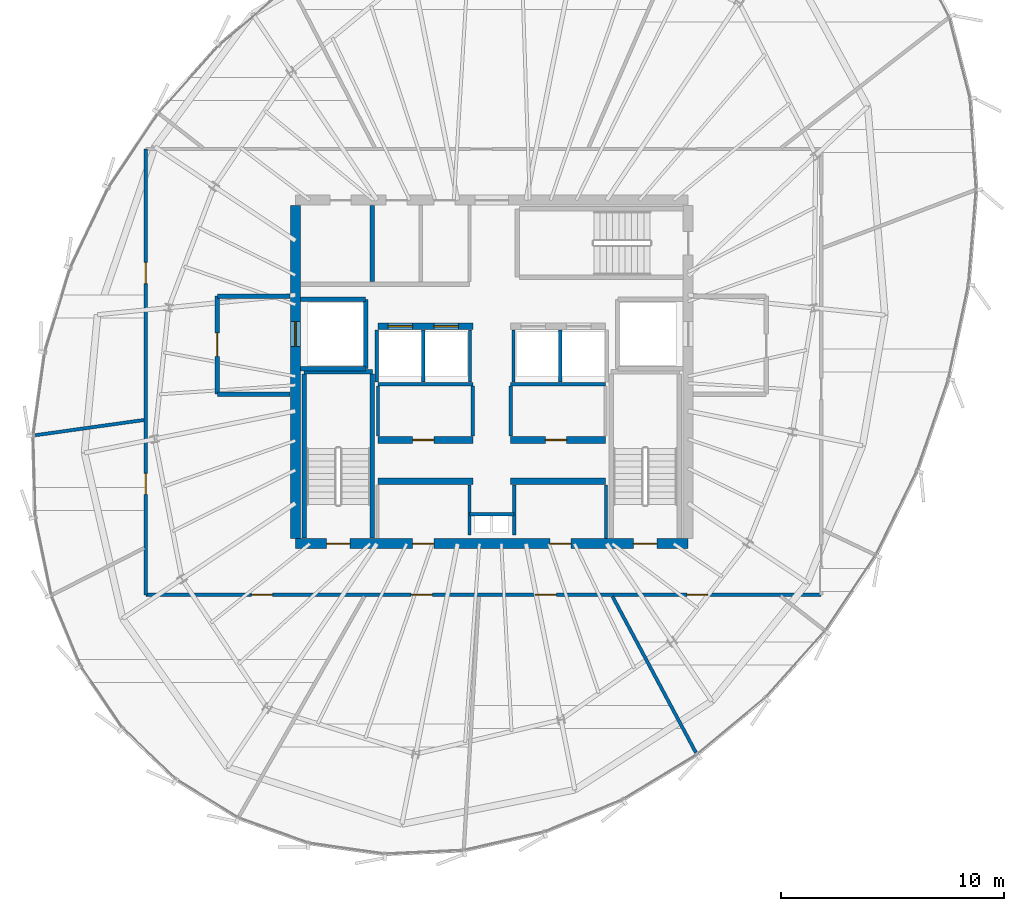
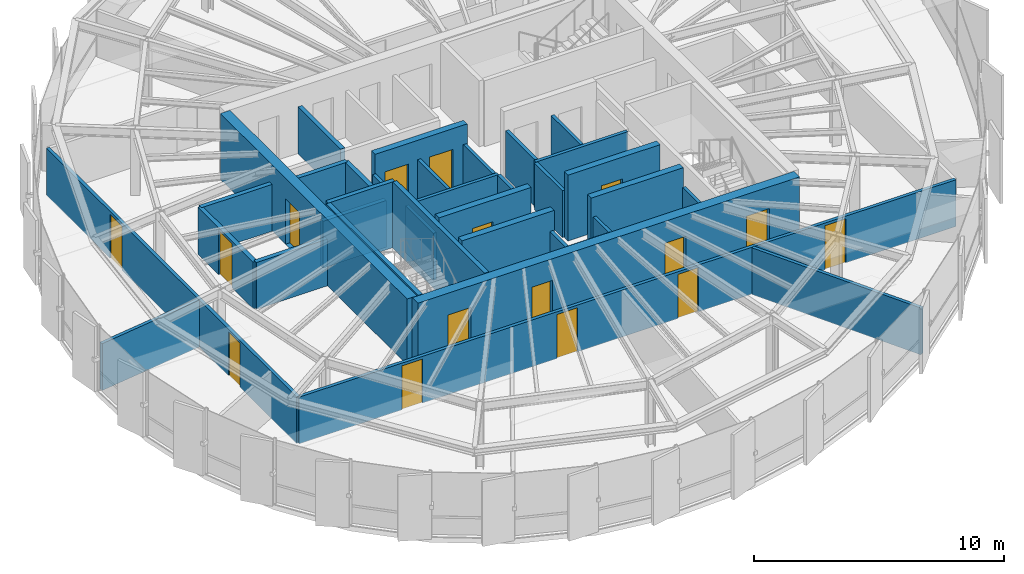
# One storey, part 29 of 35: 35 walls, 16 doors, 16 openings.
"""IFC4 building model written with IfcOpenShell, lengths in metres."""

from ifc_helpers import new_model, si_unit, direction, frame, frame_2d, origin, place, context, subcontext, project, spatial, rectangle, extrude, source, transform, mapped, material, layer, layer_set, type_object, element, fill, save


model = new_model("IFC4")

# Units and contexts
model_context = context("Model", 3, precision=1e-05, world=origin(), true_north=direction((0.0, 1.0)))
body_context = subcontext(model_context, "Body", "Model", "MODEL_VIEW")
ifc_project = project(units=[si_unit("LENGTHUNIT", "METRE"), si_unit("AREAUNIT", "SQUARE_METRE"), si_unit("VOLUMEUNIT", "CUBIC_METRE"), si_unit("PLANEANGLEUNIT", "RADIAN"), si_unit("MASSUNIT", "GRAM", prefix="KILO"), si_unit("THERMODYNAMICTEMPERATUREUNIT", "KELVIN")], contexts=[model_context])

# Site, building, storey
site_placement = place(None, origin())
site = spatial("IfcSite", under=ifc_project, at=site_placement, CompositionType="ELEMENT")
building_placement = place(site_placement, origin())
building = spatial("IfcBuilding", under=site, at=building_placement, Name="Kethvar Cultural Tower", CompositionType="ELEMENT")
storey_placement = place(building_placement, frame((0.0, 0.0, 245.64990234375)))
storey = spatial("IfcBuildingStorey", under=building, at=storey_placement, Name="L64", CompositionType="ELEMENT", Elevation=245.64990234375)

# Wall, openings, doors
ifc_material_1 = material(Name="Concrete C50/60", Category="concrete")
ifc_layer_1 = layer(ifc_material_1, 0.449951171875, Name="Concrete C50/60", Category="concrete")
ifc_layer_set_1 = layer_set([ifc_layer_1], Name="Concrete C50/60 (450 mm)")
wall_type_1 = type_object("IfcWallType", Name="WL-CORE-450", PredefinedType="SHEAR", material=ifc_layer_set_1)
wall_1_placement = place(storey_placement, frame((38.0, 20.10009765625, 0.0), z_axis=(0.0, 0.0, 1.0), x_axis=(1.0, 0.0, 0.0)))
wall_1 = element("IfcWall", 1, at=wall_1_placement, inside=storey, type_object=wall_type_1, Name="L64 Core Shear Wall S", PredefinedType="SHEAR", context=body_context, shape_type="SweptSolid", body=[
    extrude(rectangle(XDim=17.60009765625, YDim=0.449951171875, at=frame_2d((8.800048828125, 0.0))), origin(), (0.0, 0.0, 1.0), 3.210205078125),
])
opening_1_placement = place(wall_1_placement, frame((1.39990234375, 0.0, 0.0)))
opening_1 = element("IfcOpeningElement", 2, at=opening_1_placement, cuts=wall_1, Name="Opening D-L64-S1", PredefinedType="OPENING", context=body_context, shape_type="SweptSolid", body=[
    extrude(rectangle(XDim=1.050048828125, YDim=2.14990234375, at=frame_2d((0.52490234375, 1.074951171875))), frame((0.0, 0.23486328125, 0.0), z_axis=(0.0, -1.0, 0.0), x_axis=(1.0, 0.0, 0.0)), (0.0, 0.0, 1.0), 0.469970703125),
])
opening_2_placement = place(wall_1_placement, frame((15.14990234375, 0.0, 0.0)))
opening_2 = element("IfcOpeningElement", 3, at=opening_2_placement, cuts=wall_1, Name="Opening D-L64-ST2", PredefinedType="OPENING", context=body_context, shape_type="SweptSolid", body=[
    extrude(rectangle(XDim=1.050048828125, YDim=2.14990234375, at=frame_2d((0.52490234375, 1.074951171875))), frame((0.0, 0.23486328125, 0.0), z_axis=(0.0, -1.0, 0.0), x_axis=(1.0, 0.0, 0.0)), (0.0, 0.0, 1.0), 0.469970703125),
])
opening_3_placement = place(wall_1_placement, frame((5.25, 0.0, 0.0)))
opening_3 = element("IfcOpeningElement", 4, at=opening_3_placement, cuts=wall_1, Name="Opening D-L64-V1", PredefinedType="OPENING", context=body_context, shape_type="SweptSolid", body=[
    extrude(rectangle(XDim=0.949951171875, YDim=2.14990234375, at=frame_2d((0.47509765625, 1.074951171875))), frame((0.0, 0.23486328125, 0.0), z_axis=(0.0, -1.0, 0.0), x_axis=(1.0, 0.0, 0.0)), (0.0, 0.0, 1.0), 0.469970703125),
])
opening_4_placement = place(wall_1_placement, frame((11.39990234375, 0.0, 0.0)))
opening_4 = element("IfcOpeningElement", 5, at=opening_4_placement, cuts=wall_1, Name="Opening D-L64-V2", PredefinedType="OPENING", context=body_context, shape_type="SweptSolid", body=[
    extrude(rectangle(XDim=0.949951171875, YDim=2.14990234375, at=frame_2d((0.47509765625, 1.074951171875))), frame((0.0, 0.23486328125, 0.0), z_axis=(0.0, -1.0, 0.0), x_axis=(1.0, 0.0, 0.0)), (0.0, 0.0, 1.0), 0.469970703125),
])
ifc_material_2 = material(Name="Steel S355J2", Category="steel")
door_type_1 = type_object("IfcDoorType", Name="DR-FD60-1050", OperationType="NOTDEFINED", PredefinedType="DOOR", material=ifc_material_2)
shared_shape_1 = source(origin(), body_context, "Body", "SweptSolid", [
    extrude(rectangle(XDim=1.050048828125, YDim=2.14990234375, at=frame_2d((0.52490234375, 1.074951171875))), frame((0.0, 0.02490234375, 0.0), z_axis=(0.0, -1.0, 0.0), x_axis=(1.0, 0.0, 0.0)), (0.0, 0.0, 1.0), 0.050048828125),
])
door_1_placement = place(opening_1_placement, origin())
door_1 = element("IfcDoor", 6, at=door_1_placement, inside=storey, type_object=door_type_1, Name="L64 Exit Stair 1 Door", OperationType="SINGLE_SWING_LEFT", OverallHeight=2.14990234375, OverallWidth=1.050048828125, PredefinedType="DOOR", context=body_context, shape_type="MappedRepresentation", body=[
    mapped(shared_shape_1, transform((0.0, 0.0, 0.0), scale=1.0)),
])
fill(opening_1, door_1)
door_2_placement = place(opening_2_placement, origin())
door_2 = element("IfcDoor", 7, at=door_2_placement, inside=storey, type_object=door_type_1, Name="L64 Exit Stair 2 Door", OperationType="SINGLE_SWING_RIGHT", OverallHeight=2.14990234375, OverallWidth=1.050048828125, PredefinedType="DOOR", context=body_context, shape_type="MappedRepresentation", body=[
    mapped(shared_shape_1, transform((0.0, 0.0, 0.0), scale=1.0)),
])
fill(opening_2, door_2)
ifc_material_3 = material(Name="Architectural Oak Timber", Category="wood")
door_type_2 = type_object("IfcDoorType", Name="DR-FD30-950", OperationType="NOTDEFINED", PredefinedType="DOOR", material=ifc_material_3)
shared_shape_2 = source(origin(), body_context, "Body", "SweptSolid", [
    extrude(rectangle(XDim=0.949951171875, YDim=2.14990234375, at=frame_2d((0.47509765625, 1.074951171875))), frame((0.0, 0.02490234375, 0.0), z_axis=(0.0, -1.0, 0.0), x_axis=(1.0, 0.0, 0.0)), (0.0, 0.0, 1.0), 0.050048828125),
])
door_3_placement = place(opening_3_placement, origin())
door_3 = element("IfcDoor", 8, at=door_3_placement, inside=storey, type_object=door_type_2, Name="L64 Reclaimed West Room Door", OperationType="SINGLE_SWING_LEFT", OverallHeight=2.14990234375, OverallWidth=0.949951171875, PredefinedType="DOOR", context=body_context, shape_type="MappedRepresentation", body=[
    mapped(shared_shape_2, transform((0.0, 0.0, 0.0), scale=1.0)),
])
fill(opening_3, door_3)
door_4_placement = place(opening_4_placement, origin())
door_4 = element("IfcDoor", 9, at=door_4_placement, inside=storey, type_object=door_type_2, Name="L64 Reclaimed East Room Door", OperationType="SINGLE_SWING_RIGHT", OverallHeight=2.14990234375, OverallWidth=0.949951171875, PredefinedType="DOOR", context=body_context, shape_type="MappedRepresentation", body=[
    mapped(shared_shape_2, transform((0.0, 0.0, 0.0), scale=1.0)),
])
fill(opening_4, door_4)

# Wall, opening, door
wall_2_placement = place(storey_placement, frame((38.0, 35.260009765625, 0.0), z_axis=(0.0, 0.0, 1.0), x_axis=(0.0, -1.0, 0.0)))
wall_2 = element("IfcWall", 10, at=wall_2_placement, inside=storey, type_object=wall_type_1, Name="L64 Core Shear Wall W", PredefinedType="SHEAR", context=body_context, shape_type="SweptSolid", body=[
    extrude(rectangle(XDim=14.919921875, YDim=0.449951171875, at=frame_2d((7.4599609375, 0.0))), origin(), (0.0, 0.0, 1.0), 3.210205078125),
])
opening_5_placement = place(wall_2_placement, frame((5.2099609375, 0.0, 0.0)))
opening_5 = element("IfcOpeningElement", 11, at=opening_5_placement, cuts=wall_2, Name="Opening LD-1", PredefinedType="OPENING", context=body_context, shape_type="SweptSolid", body=[
    extrude(rectangle(XDim=1.10009765625, YDim=2.199951171875, at=frame_2d((0.550048828125, 1.10009765625))), frame((0.0, 0.23486328125, 0.0), z_axis=(0.0, -1.0, 0.0), x_axis=(1.0, 0.0, 0.0)), (0.0, 0.0, 1.0), 0.469970703125),
])
door_type_3 = type_object("IfcDoorType", Name="DR-LIFT-SLIDE-1100", OperationType="NOTDEFINED", PredefinedType="DOOR", material=ifc_material_2)
shared_shape_3 = source(origin(), body_context, "Body", "SweptSolid", [
    extrude(rectangle(XDim=1.10009765625, YDim=2.199951171875, at=frame_2d((0.550048828125, 1.10009765625))), frame((0.0, 0.02490234375, 0.0), z_axis=(0.0, -1.0, 0.0), x_axis=(1.0, 0.0, 0.0)), (0.0, 0.0, 1.0), 0.050048828125),
])
door_5_placement = place(opening_5_placement, origin())
door_5 = element("IfcDoor", 12, at=door_5_placement, inside=storey, type_object=door_type_3, Name="L64 Firefighting Lift Landing Door FFL-01", OperationType="SLIDING_TO_LEFT", OverallHeight=2.199951171875, OverallWidth=1.10009765625, PredefinedType="DOOR", context=body_context, shape_type="MappedRepresentation", body=[
    mapped(shared_shape_3, transform((0.0, 0.0, 0.0), scale=1.0)),
])
fill(opening_5, door_5)

# Walls
ifc_material_4 = material(Name="Gypsum Fireboard Partition")
ifc_layer_2 = layer(ifc_material_4, 0.14990234375, Name="Gypsum Fireboard Partition")
ifc_layer_set_2 = layer_set([ifc_layer_2], Name="Gypsum Fireboard Partition (150 mm)")
wall_type_2 = type_object("IfcWallType", Name="WL-FIRE-150", PredefinedType="PARTITIONING", material=ifc_layer_set_2)
wall_3_placement = place(storey_placement, frame((45.800048828125, 21.419921875, 0.0), z_axis=(0.0, 0.0, 1.0), x_axis=(1.0, 0.0, 0.0)))
element("IfcWall", 13, at=wall_3_placement, inside=storey, type_object=wall_type_2, Name="L64 Core Riser Wall", PredefinedType="PARTITIONING", context=body_context, shape_type="SweptSolid", body=[
    extrude(rectangle(XDim=2.0, YDim=0.14990234375, at=frame_2d((1.0, 0.0))), origin(), (0.0, 0.0, 1.0), 2.280029296875),
])
for number, where, z_axis, x_axis, name in (
    (14, (45.800048828125, 20.47998046875, 0.0), (0.0, 0.0, 1.0), (0.0, 1.0, 0.0), "L64 Core Riser West Wall"),
    (15, (47.800048828125, 20.47998046875, 0.0), (0.0, 0.0, 1.0), (0.0, 1.0, 0.0), "L64 Core Riser East Wall"),
):
    element("IfcWall", number, at=place(storey_placement, frame(where, z_axis=z_axis, x_axis=x_axis)), inside=storey, type_object=wall_type_2, Name=name, PredefinedType="PARTITIONING", context=body_context, shape_type="SweptSolid", body=[
        extrude(rectangle(XDim=2.239990234375, YDim=0.14990234375, at=frame_2d((1.1201171875, 0.0))), origin(), (0.0, 0.0, 1.0), 2.280029296875),
    ])
wall_4_placement = place(storey_placement, frame((51.919921875, 20.3349609375, 0.0), z_axis=(0.0, 0.0, 1.0), x_axis=(0.0, 1.0, 0.0)))
element("IfcWall", 16, at=wall_4_placement, inside=storey, type_object=wall_type_2, Name="L64 Reclaimed East Outer Wall", PredefinedType="PARTITIONING", context=body_context, shape_type="SweptSolid", body=[
    extrude(rectangle(XDim=2.39501953125, YDim=0.14990234375, at=frame_2d((1.197509765625, 0.0))), origin(), (0.0, 0.0, 1.0), 2.280029296875),
])
for number, where, z_axis, x_axis, name in (
    (17, (41.699951171875, 27.25, 0.0), (0.0, 0.0, 1.0), (1.0, 0.0, 0.0), "L64 Reclaimed Mid Wall W"),
    (18, (47.64990234375, 27.25, 0.0), (0.0, 0.0, 1.0), (1.0, 0.0, 0.0), "L64 Reclaimed Mid Wall E"),
):
    element("IfcWall", number, at=place(storey_placement, frame(where, z_axis=z_axis, x_axis=x_axis)), inside=storey, type_object=wall_type_2, Name=name, PredefinedType="PARTITIONING", context=body_context, shape_type="SweptSolid", body=[
        extrude(rectangle(XDim=4.25, YDim=0.14990234375, at=frame_2d((2.125, 0.0))), origin(), (0.0, 0.0, 1.0), 2.280029296875),
    ])
for number, where, z_axis, x_axis, name in (
    (19, (41.699951171875, 24.919921875, 0.0), (0.0, 0.0, 1.0), (0.0, 1.0, 0.0), "L64 Reclaimed Mid Outer W"),
    (20, (45.949951171875, 24.919921875, 0.0), (0.0, 0.0, 1.0), (0.0, 1.0, 0.0), "L64 Reclaimed Mid Spine W"),
    (21, (47.64990234375, 24.919921875, 0.0), (0.0, 0.0, 1.0), (0.0, 1.0, 0.0), "L64 Reclaimed Mid Spine E"),
):
    element("IfcWall", number, at=place(storey_placement, frame(where, z_axis=z_axis, x_axis=x_axis)), inside=storey, type_object=wall_type_2, Name=name, PredefinedType="PARTITIONING", context=body_context, shape_type="SweptSolid", body=[
        extrude(rectangle(XDim=2.239990234375, YDim=0.14990234375, at=frame_2d((1.1201171875, 0.0))), origin(), (0.0, 0.0, 1.0), 2.280029296875),
    ])
for number, where, z_axis, x_axis, name in (
    (22, (41.64990234375, 27.340087890625, 0.0), (0.0, 0.0, 1.0), (0.0, 1.0, 0.0), "L64 High-Rise Lift Shaft Outer Wall W"),
    (23, (43.72509765625, 27.340087890625, 0.0), (0.0, 0.0, 1.0), (0.0, 1.0, 0.0), "L64 High-Rise Lift Shaft Divider W"),
    (24, (45.824951171875, 27.340087890625, 0.0), (0.0, 0.0, 1.0), (0.0, 1.0, 0.0), "L64 High-Rise Lift Shaft Concourse Wall W"),
    (25, (47.77490234375, 27.340087890625, 0.0), (0.0, 0.0, 1.0), (0.0, 1.0, 0.0), "L64 High-Rise Lift Shaft Concourse Wall E"),
    (26, (49.875, 27.340087890625, 0.0), (0.0, 0.0, 1.0), (0.0, 1.0, 0.0), "L64 High-Rise Lift Shaft Divider E"),
):
    element("IfcWall", number, at=place(storey_placement, frame(where, z_axis=z_axis, x_axis=x_axis)), inside=storey, type_object=wall_type_2, Name=name, PredefinedType="PARTITIONING", context=body_context, shape_type="SweptSolid", body=[
        extrude(rectangle(XDim=2.33984375, YDim=0.14990234375, at=frame_2d((1.169921875, 0.0))), origin(), (0.0, 0.0, 1.0), 2.280029296875),
    ])

# Wall, openings, doors
wall_5_placement = place(storey_placement, frame((31.2900390625, 17.806884765625, 0.0), z_axis=(0.0, 0.0, 1.0), x_axis=(1.0, 0.0, 0.0)))
wall_5 = element("IfcWall", 27, at=wall_5_placement, inside=storey, type_object=wall_type_2, Name="L64 Corridor Rated Wall S", PredefinedType="PARTITIONING", context=body_context, shape_type="SweptSolid", body=[
    extrude(rectangle(XDim=30.27392578125, YDim=0.14990234375, at=frame_2d((15.136962890625, 0.0))), origin(), (0.0, 0.0, 1.0), 2.280029296875),
])
opening_6_placement = place(wall_5_placement, frame((4.734375, 0.0, 0.0)))
opening_6 = element("IfcOpeningElement", 28, at=opening_6_placement, cuts=wall_5, Name="Opening D-L64-02", PredefinedType="OPENING", context=body_context, shape_type="SweptSolid", body=[
    extrude(rectangle(XDim=0.949951171875, YDim=2.14990234375, at=frame_2d((0.47509765625, 1.074951171875))), frame((0.0, 0.0849609375, 0.0), z_axis=(0.0, -1.0, 0.0), x_axis=(1.0, 0.0, 0.0)), (0.0, 0.0, 1.0), 0.169921875),
])
opening_7_placement = place(wall_5_placement, frame((11.892333984375, 0.0, 0.0)))
opening_7 = element("IfcOpeningElement", 29, at=opening_7_placement, cuts=wall_5, Name="Opening D-L64-03", PredefinedType="OPENING", context=body_context, shape_type="SweptSolid", body=[
    extrude(rectangle(XDim=0.949951171875, YDim=2.14990234375, at=frame_2d((0.47509765625, 1.074951171875))), frame((0.0, 0.0849609375, 0.0), z_axis=(0.0, -1.0, 0.0), x_axis=(1.0, 0.0, 0.0)), (0.0, 0.0, 1.0), 0.169921875),
])
opening_8_placement = place(wall_5_placement, frame((17.453369140625, 0.0, 0.0)))
opening_8 = element("IfcOpeningElement", 30, at=opening_8_placement, cuts=wall_5, Name="Opening D-L64-04", PredefinedType="OPENING", context=body_context, shape_type="SweptSolid", body=[
    extrude(rectangle(XDim=0.949951171875, YDim=2.14990234375, at=frame_2d((0.47509765625, 1.074951171875))), frame((0.0, 0.0849609375, 0.0), z_axis=(0.0, -1.0, 0.0), x_axis=(1.0, 0.0, 0.0)), (0.0, 0.0, 1.0), 0.169921875),
])
opening_9_placement = place(wall_5_placement, frame((24.250732421875, 0.0, 0.0)))
opening_9 = element("IfcOpeningElement", 31, at=opening_9_placement, cuts=wall_5, Name="Opening D-L64-05", PredefinedType="OPENING", context=body_context, shape_type="SweptSolid", body=[
    extrude(rectangle(XDim=0.949951171875, YDim=2.14990234375, at=frame_2d((0.47509765625, 1.074951171875))), frame((0.0, 0.0849609375, 0.0), z_axis=(0.0, -1.0, 0.0), x_axis=(1.0, 0.0, 0.0)), (0.0, 0.0, 1.0), 0.169921875),
])
door_6_placement = place(opening_6_placement, origin())
door_6 = element("IfcDoor", 32, at=door_6_placement, inside=storey, type_object=door_type_2, Name="L64 Fellowship Seminar Room 02 Door", OperationType="SINGLE_SWING_RIGHT", OverallHeight=2.14990234375, OverallWidth=0.949951171875, PredefinedType="DOOR", context=body_context, shape_type="MappedRepresentation", body=[
    mapped(shared_shape_2, transform((0.0, 0.0, 0.0), scale=1.0)),
])
fill(opening_6, door_6)
door_7_placement = place(opening_7_placement, origin())
door_7 = element("IfcDoor", 33, at=door_7_placement, inside=storey, type_object=door_type_2, Name="L64 Cultural Lecture Room 03 Door", OperationType="SINGLE_SWING_LEFT", OverallHeight=2.14990234375, OverallWidth=0.949951171875, PredefinedType="DOOR", context=body_context, shape_type="MappedRepresentation", body=[
    mapped(shared_shape_2, transform((0.0, 0.0, 0.0), scale=1.0)),
])
fill(opening_7, door_7)
door_8_placement = place(opening_8_placement, origin())
door_8 = element("IfcDoor", 34, at=door_8_placement, inside=storey, type_object=door_type_2, Name="L64 Digital Media Workspace 04 Door", OperationType="SINGLE_SWING_RIGHT", OverallHeight=2.14990234375, OverallWidth=0.949951171875, PredefinedType="DOOR", context=body_context, shape_type="MappedRepresentation", body=[
    mapped(shared_shape_2, transform((0.0, 0.0, 0.0), scale=1.0)),
])
fill(opening_8, door_8)
door_9_placement = place(opening_9_placement, origin())
door_9 = element("IfcDoor", 35, at=door_9_placement, inside=storey, type_object=door_type_2, Name="L64 Curatorial Administration Office 05 Door", OperationType="SINGLE_SWING_LEFT", OverallHeight=2.14990234375, OverallWidth=0.949951171875, PredefinedType="DOOR", context=body_context, shape_type="MappedRepresentation", body=[
    mapped(shared_shape_2, transform((0.0, 0.0, 0.0), scale=1.0)),
])
fill(opening_9, door_9)

wall_6_placement = place(storey_placement, frame((31.2900390625, 37.79296875, 0.0), z_axis=(0.0, 0.0, 1.0), x_axis=(0.0, -1.0, 0.0)))
wall_6 = element("IfcWall", 36, at=wall_6_placement, inside=storey, type_object=wall_type_2, Name="L64 Corridor Rated Wall W", PredefinedType="PARTITIONING", context=body_context, shape_type="SweptSolid", body=[
    extrude(rectangle(XDim=19.986083984375, YDim=0.14990234375, at=frame_2d((9.9931640625, 0.0))), origin(), (0.0, 0.0, 1.0), 2.280029296875),
])
opening_10_placement = place(wall_6_placement, frame((14.536376953125, 0.0, 0.0)))
opening_10 = element("IfcOpeningElement", 37, at=opening_10_placement, cuts=wall_6, Name="Opening D-L64-01", PredefinedType="OPENING", context=body_context, shape_type="SweptSolid", body=[
    extrude(rectangle(XDim=0.949951171875, YDim=2.14990234375, at=frame_2d((0.47509765625, 1.074951171875))), frame((0.0, 0.0849609375, 0.0), z_axis=(0.0, -1.0, 0.0), x_axis=(1.0, 0.0, 0.0)), (0.0, 0.0, 1.0), 0.169921875),
])
opening_11_placement = place(wall_6_placement, frame((5.08447265625, 0.0, 0.0)))
opening_11 = element("IfcOpeningElement", 38, at=opening_11_placement, cuts=wall_6, Name="Opening D-L64-12", PredefinedType="OPENING", context=body_context, shape_type="SweptSolid", body=[
    extrude(rectangle(XDim=0.949951171875, YDim=2.14990234375, at=frame_2d((0.47509765625, 1.074951171875))), frame((0.0, 0.0849609375, 0.0), z_axis=(0.0, -1.0, 0.0), x_axis=(1.0, 0.0, 0.0)), (0.0, 0.0, 1.0), 0.169921875),
])
door_10_placement = place(opening_10_placement, origin())
door_10 = element("IfcDoor", 39, at=door_10_placement, inside=storey, type_object=door_type_2, Name="L64 Executive Boardroom 01 Door", OperationType="SINGLE_SWING_LEFT", OverallHeight=2.14990234375, OverallWidth=0.949951171875, PredefinedType="DOOR", context=body_context, shape_type="MappedRepresentation", body=[
    mapped(shared_shape_2, transform((0.0, 0.0, 0.0), scale=1.0)),
])
fill(opening_10, door_10)
door_11_placement = place(opening_11_placement, origin())
door_11 = element("IfcDoor", 40, at=door_11_placement, inside=storey, type_object=door_type_2, Name="L64 Exhibition Print Shop 12 Door", OperationType="SINGLE_SWING_RIGHT", OverallHeight=2.14990234375, OverallWidth=0.949951171875, PredefinedType="DOOR", context=body_context, shape_type="MappedRepresentation", body=[
    mapped(shared_shape_2, transform((0.0, 0.0, 0.0), scale=1.0)),
])
fill(opening_11, door_11)

# Walls
ifc_material_5 = material(Name="Concrete C40/50", Category="concrete")
ifc_layer_3 = layer(ifc_material_5, 0.199951171875, Name="Concrete C40/50", Category="concrete")
ifc_layer_set_3 = layer_set([ifc_layer_3], Name="Concrete C40/50 (200 mm)")
wall_type_3 = type_object("IfcWallType", Name="WL-FIRE-200", PredefinedType="PARTITIONING", material=ifc_layer_set_3)
wall_7_placement = place(storey_placement, frame((41.14990234375, 27.949951171875, 0.0), z_axis=(0.0, 0.0, 1.0), x_axis=(0.0, 1.0, 0.0)))
element("IfcWall", 41, at=wall_7_placement, inside=storey, type_object=wall_type_3, Name="L64 FFL-01 Shaft Inner Wall", PredefinedType="PARTITIONING", context=body_context, shape_type="SweptSolid", body=[
    extrude(rectangle(XDim=3.10009765625, YDim=0.199951171875, at=frame_2d((1.550048828125, 0.0))), origin(), (0.0, 0.0, 1.0), 2.280029296875),
])
for number, where, z_axis, x_axis, name in (
    (42, (38.235107421875, 27.949951171875, 0.0), (0.0, 0.0, 1.0), (1.0, 0.0, 0.0), "L64 FFL-01 Shaft South Wall"),
    (43, (38.235107421875, 31.050048828125, 0.0), (0.0, 0.0, 1.0), (1.0, 0.0, 0.0), "L64 FFL-01 Shaft North Wall"),
):
    element("IfcWall", number, at=place(storey_placement, frame(where, z_axis=z_axis, x_axis=x_axis)), inside=storey, type_object=wall_type_3, Name=name, PredefinedType="PARTITIONING", context=body_context, shape_type="SweptSolid", body=[
        extrude(rectangle(XDim=2.914794921875, YDim=0.199951171875, at=frame_2d((1.45751953125, 0.0))), origin(), (0.0, 0.0, 1.0), 2.280029296875),
    ])

# Wall, opening, door
wall_8_placement = place(storey_placement, frame((34.5, 31.199951171875, 0.0), z_axis=(0.0, 0.0, 1.0), x_axis=(0.0, -1.0, 0.0)))
wall_8 = element("IfcWall", 44, at=wall_8_placement, inside=storey, type_object=wall_type_3, Name="L64 Firefighting Lobby 1 Wall", PredefinedType="PARTITIONING", context=body_context, shape_type="SweptSolid", body=[
    extrude(rectangle(XDim=4.39990234375, YDim=0.199951171875, at=frame_2d((2.199951171875, 0.0))), origin(), (0.0, 0.0, 1.0), 2.280029296875),
])
opening_12_placement = place(wall_8_placement, frame((1.64990234375, 0.0, 0.0)))
opening_12 = element("IfcOpeningElement", 45, at=opening_12_placement, cuts=wall_8, Name="Opening D-L64-F1", PredefinedType="OPENING", context=body_context, shape_type="SweptSolid", body=[
    extrude(rectangle(XDim=1.050048828125, YDim=2.14990234375, at=frame_2d((0.52490234375, 1.074951171875))), frame((0.0, 0.10986328125, 0.0), z_axis=(0.0, -1.0, 0.0), x_axis=(1.0, 0.0, 0.0)), (0.0, 0.0, 1.0), 0.219970703125),
])
door_12_placement = place(opening_12_placement, origin())
door_12 = element("IfcDoor", 46, at=door_12_placement, inside=storey, type_object=door_type_1, Name="L64 Firefighting Lobby 1 Fire Door", OperationType="SINGLE_SWING_LEFT", OverallHeight=2.14990234375, OverallWidth=1.050048828125, PredefinedType="DOOR", context=body_context, shape_type="MappedRepresentation", body=[
    mapped(shared_shape_1, transform((0.0, 0.0, 0.0), scale=1.0)),
])
fill(opening_12, door_12)

# Walls
for number, where, z_axis, x_axis, name in (
    (47, (34.5, 26.800048828125, 0.0), (0.0, 0.0, 1.0), (1.0, 0.0, 0.0), "L64 FF Lobby 1 South Wall"),
    (48, (34.5, 31.199951171875, 0.0), (0.0, 0.0, 1.0), (1.0, 0.0, 0.0), "L64 FF Lobby 1 North Wall"),
):
    element("IfcWall", number, at=place(storey_placement, frame(where, z_axis=z_axis, x_axis=x_axis)), inside=storey, type_object=wall_type_3, Name=name, PredefinedType="PARTITIONING", context=body_context, shape_type="SweptSolid", body=[
        extrude(rectangle(XDim=3.264892578125, YDim=0.199951171875, at=frame_2d((1.63232421875, 0.0))), origin(), (0.0, 0.0, 1.0), 2.280029296875),
    ])
wall_9_placement = place(storey_placement, frame((41.449951171875, 31.85009765625, 0.0), z_axis=(0.0, 0.0, 1.0), x_axis=(0.0, 1.0, 0.0)))
element("IfcWall", 49, at=wall_9_placement, inside=storey, type_object=wall_type_3, Name="L64 NW Core Pocket Wall", PredefinedType="PARTITIONING", context=body_context, shape_type="SweptSolid", body=[
    extrude(rectangle(XDim=3.414794921875, YDim=0.199951171875, at=frame_2d((1.70751953125, 0.0))), origin(), (0.0, 0.0, 1.0), 2.280029296875),
])
ifc_material_6 = material(Name="Gypsum Acoustic Partition")
ifc_layer_4 = layer(ifc_material_6, 0.14990234375, Name="Gypsum Acoustic Partition")
ifc_layer_set_4 = layer_set([ifc_layer_4], Name="Gypsum Acoustic Partition (150 mm)")
wall_type_4 = type_object("IfcWallType", Name="WL-PART-150", PredefinedType="PARTITIONING", material=ifc_layer_set_4)
wall_10_placement = place(storey_placement, frame((31.210693359375, 25.645751953125, 0.0), z_axis=(0.0, 0.0, 1.0), x_axis=(-0.990284031465, -0.139059472982, 0.0)))
element("IfcWall", 50, at=wall_10_placement, inside=storey, type_object=wall_type_4, Name="L64 Radial Partition Wall 01", PredefinedType="PARTITIONING", context=body_context, shape_type="SweptSolid", body=[
    extrude(rectangle(XDim=4.921142578125, YDim=0.14990234375, at=frame_2d((2.46044921875, 0.0))), origin(), (0.0, 0.0, 1.0), 2.280029296875),
])
wall_11_placement = place(storey_placement, frame((52.209228515625, 17.736328125, 0.0), z_axis=(0.0, 0.0, 1.0), x_axis=(0.471301403893, -0.881972214239, 0.0)))
element("IfcWall", 51, at=wall_11_placement, inside=storey, type_object=wall_type_4, Name="L64 Radial Partition Wall 05", PredefinedType="PARTITIONING", context=body_context, shape_type="SweptSolid", body=[
    extrude(rectangle(XDim=7.940673828125, YDim=0.14990234375, at=frame_2d((3.97021484375, 0.0))), origin(), (0.0, 0.0, 1.0), 2.280029296875),
])
ifc_layer_5 = layer(ifc_material_1, 0.300048828125, Name="Concrete C50/60", Category="concrete")
ifc_layer_set_5 = layer_set([ifc_layer_5], Name="Concrete C50/60 (300 mm)")
wall_type_5 = type_object("IfcWallType", Name="WL-SHAFT-300", PredefinedType="SHEAR", material=ifc_layer_set_5)
for number, where, z_axis, x_axis, name in (
    (52, (41.699951171875, 22.89990234375, 0.0), (0.0, 0.0, 1.0), (1.0, 0.0, 0.0), "L64 Core Lift Spine Wall MID1W"),
    (53, (47.64990234375, 22.89990234375, 0.0), (0.0, 0.0, 1.0), (1.0, 0.0, 0.0), "L64 Core Lift Spine Wall MID1E"),
):
    element("IfcWall", number, at=place(storey_placement, frame(where, z_axis=z_axis, x_axis=x_axis)), inside=storey, type_object=wall_type_5, Name=name, PredefinedType="SHEAR", context=body_context, shape_type="SweptSolid", body=[
        extrude(rectangle(XDim=4.25, YDim=0.300048828125, at=frame_2d((2.125, 0.0))), origin(), (0.0, 0.0, 1.0), 3.210205078125),
    ])

# Wall, opening, door
wall_12_placement = place(storey_placement, frame((41.699951171875, 24.75, 0.0), z_axis=(0.0, 0.0, 1.0), x_axis=(1.0, 0.0, 0.0)))
wall_12 = element("IfcWall", 54, at=wall_12_placement, inside=storey, type_object=wall_type_5, Name="L64 Core Lift Spine Wall MID2W", PredefinedType="SHEAR", context=body_context, shape_type="SweptSolid", body=[
    extrude(rectangle(XDim=4.25, YDim=0.300048828125, at=frame_2d((2.125, 0.0))), origin(), (0.0, 0.0, 1.0), 3.210205078125),
])
opening_13_placement = place(wall_12_placement, frame((1.550048828125, 0.0, 0.0)))
opening_13 = element("IfcOpeningElement", 55, at=opening_13_placement, cuts=wall_12, Name="Opening D-L64-M1", PredefinedType="OPENING", context=body_context, shape_type="SweptSolid", body=[
    extrude(rectangle(XDim=0.949951171875, YDim=2.14990234375, at=frame_2d((0.47509765625, 1.074951171875))), frame((0.0, 0.159912109375, 0.0), z_axis=(0.0, -1.0, 0.0), x_axis=(1.0, 0.0, 0.0)), (0.0, 0.0, 1.0), 0.320068359375),
])
door_13_placement = place(opening_13_placement, origin())
door_13 = element("IfcDoor", 56, at=door_13_placement, inside=storey, type_object=door_type_2, Name="L64 Mid West Room Door", OperationType="SINGLE_SWING_LEFT", OverallHeight=2.14990234375, OverallWidth=0.949951171875, PredefinedType="DOOR", context=body_context, shape_type="MappedRepresentation", body=[
    mapped(shared_shape_2, transform((0.0, 0.0, 0.0), scale=1.0)),
])
fill(opening_13, door_13)

wall_13_placement = place(storey_placement, frame((47.64990234375, 24.75, 0.0), z_axis=(0.0, 0.0, 1.0), x_axis=(1.0, 0.0, 0.0)))
wall_13 = element("IfcWall", 57, at=wall_13_placement, inside=storey, type_object=wall_type_5, Name="L64 Core Lift Spine Wall MID2E", PredefinedType="SHEAR", context=body_context, shape_type="SweptSolid", body=[
    extrude(rectangle(XDim=4.25, YDim=0.300048828125, at=frame_2d((2.125, 0.0))), origin(), (0.0, 0.0, 1.0), 3.210205078125),
])
opening_14_placement = place(wall_13_placement, frame((1.550048828125, 0.0, 0.0)))
opening_14 = element("IfcOpeningElement", 58, at=opening_14_placement, cuts=wall_13, Name="Opening D-L64-M2", PredefinedType="OPENING", context=body_context, shape_type="SweptSolid", body=[
    extrude(rectangle(XDim=0.949951171875, YDim=2.14990234375, at=frame_2d((0.47509765625, 1.074951171875))), frame((0.0, 0.159912109375, 0.0), z_axis=(0.0, -1.0, 0.0), x_axis=(1.0, 0.0, 0.0)), (0.0, 0.0, 1.0), 0.320068359375),
])
door_14_placement = place(opening_14_placement, origin())
door_14 = element("IfcDoor", 59, at=door_14_placement, inside=storey, type_object=door_type_2, Name="L64 Mid East Room Door", OperationType="SINGLE_SWING_RIGHT", OverallHeight=2.14990234375, OverallWidth=0.949951171875, PredefinedType="DOOR", context=body_context, shape_type="MappedRepresentation", body=[
    mapped(shared_shape_2, transform((0.0, 0.0, 0.0), scale=1.0)),
])
fill(opening_14, door_14)

# Wall, openings, doors
wall_14_placement = place(storey_placement, frame((41.699951171875, 29.85009765625, 0.0), z_axis=(0.0, 0.0, 1.0), x_axis=(1.0, 0.0, 0.0)))
wall_14 = element("IfcWall", 60, at=wall_14_placement, inside=storey, type_object=wall_type_5, Name="L64 Core Lift Spine Wall MID3W", PredefinedType="SHEAR", context=body_context, shape_type="SweptSolid", body=[
    extrude(rectangle(XDim=4.25, YDim=0.300048828125, at=frame_2d((2.125, 0.0))), origin(), (0.0, 0.0, 1.0), 3.210205078125),
])
opening_15_placement = place(wall_14_placement, frame((0.449951171875, 0.0, 0.0)))
opening_15 = element("IfcOpeningElement", 61, at=opening_15_placement, cuts=wall_14, Name="Opening LD-H1", PredefinedType="OPENING", context=body_context, shape_type="SweptSolid", body=[
    extrude(rectangle(XDim=1.10009765625, YDim=2.199951171875, at=frame_2d((0.550048828125, 1.10009765625))), frame((0.0, 0.159912109375, 0.0), z_axis=(0.0, -1.0, 0.0), x_axis=(1.0, 0.0, 0.0)), (0.0, 0.0, 1.0), 0.320068359375),
])
opening_16_placement = place(wall_14_placement, frame((2.5, 0.0, 0.0)))
opening_16 = element("IfcOpeningElement", 62, at=opening_16_placement, cuts=wall_14, Name="Opening LD-H2", PredefinedType="OPENING", context=body_context, shape_type="SweptSolid", body=[
    extrude(rectangle(XDim=1.10009765625, YDim=2.199951171875, at=frame_2d((0.550048828125, 1.10009765625))), frame((0.0, 0.159912109375, 0.0), z_axis=(0.0, -1.0, 0.0), x_axis=(1.0, 0.0, 0.0)), (0.0, 0.0, 1.0), 0.320068359375),
])
door_15_placement = place(opening_15_placement, origin())
door_15 = element("IfcDoor", 63, at=door_15_placement, inside=storey, type_object=door_type_3, Name="L64 High-Rise Lift Landing Door H1", OperationType="SLIDING_TO_LEFT", OverallHeight=2.199951171875, OverallWidth=1.10009765625, PredefinedType="DOOR", context=body_context, shape_type="MappedRepresentation", body=[
    mapped(shared_shape_3, transform((0.0, 0.0, 0.0), scale=1.0)),
])
fill(opening_15, door_15)
door_16_placement = place(opening_16_placement, origin())
door_16 = element("IfcDoor", 64, at=door_16_placement, inside=storey, type_object=door_type_3, Name="L64 High-Rise Lift Landing Door H2", OperationType="SLIDING_TO_LEFT", OverallHeight=2.199951171875, OverallWidth=1.10009765625, PredefinedType="DOOR", context=body_context, shape_type="MappedRepresentation", body=[
    mapped(shared_shape_3, transform((0.0, 0.0, 0.0), scale=1.0)),
])
fill(opening_16, door_16)

# Walls
ifc_layer_6 = layer(ifc_material_1, 0.199951171875, Name="Concrete C50/60", Category="concrete")
ifc_layer_set_6 = layer_set([ifc_layer_6], Name="Concrete C50/60 (200 mm)")
wall_type_6 = type_object("IfcWallType", Name="WL-STSHAFT-200", PredefinedType="SHEAR", material=ifc_layer_set_6)
wall_15_placement = place(storey_placement, frame((38.389892578125, 27.800048828125, 0.0), z_axis=(0.0, 0.0, 1.0), x_axis=(1.0, 0.0, 0.0)))
element("IfcWall", 65, at=wall_15_placement, inside=storey, type_object=wall_type_6, Name="L64 ST-01 Stair Shaft Wall FAR", PredefinedType="SHEAR", context=body_context, shape_type="SweptSolid", body=[
    extrude(rectangle(XDim=3.06005859375, YDim=0.199951171875, at=frame_2d((1.530029296875, 0.0))), origin(), (0.0, 0.0, 1.0), 3.210205078125),
])
for number, where, z_axis, x_axis, name in (
    (66, (41.449951171875, 27.699951171875, 0.0), (0.0, 0.0, 1.0), (0.0, -1.0, 0.0), "L64 ST-01 Stair Shaft Wall LEFT"),
    (67, (38.389892578125, 20.35009765625, 0.0), (0.0, 0.0, 1.0), (0.0, 1.0, 0.0), "L64 ST-01 Stair Shaft Wall RIGHT"),
):
    element("IfcWall", number, at=place(storey_placement, frame(where, z_axis=z_axis, x_axis=x_axis)), inside=storey, type_object=wall_type_6, Name=name, PredefinedType="SHEAR", context=body_context, shape_type="SweptSolid", body=[
        extrude(rectangle(XDim=7.349853515625, YDim=0.199951171875, at=frame_2d((3.6748046875, 0.0))), origin(), (0.0, 0.0, 1.0), 3.210205078125),
    ])

save(model, "model.ifc")
